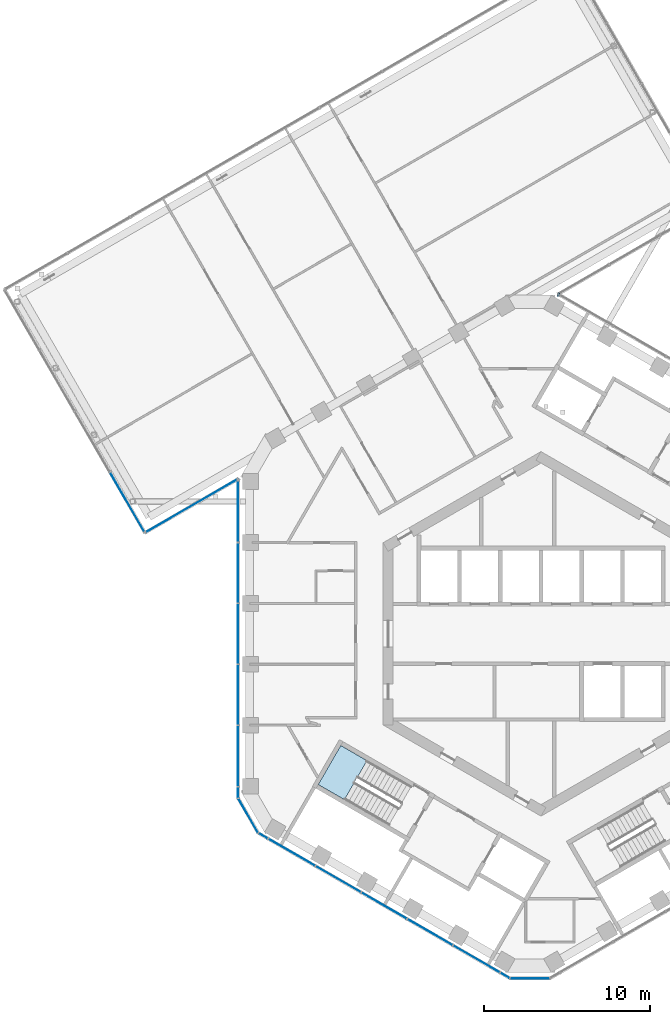
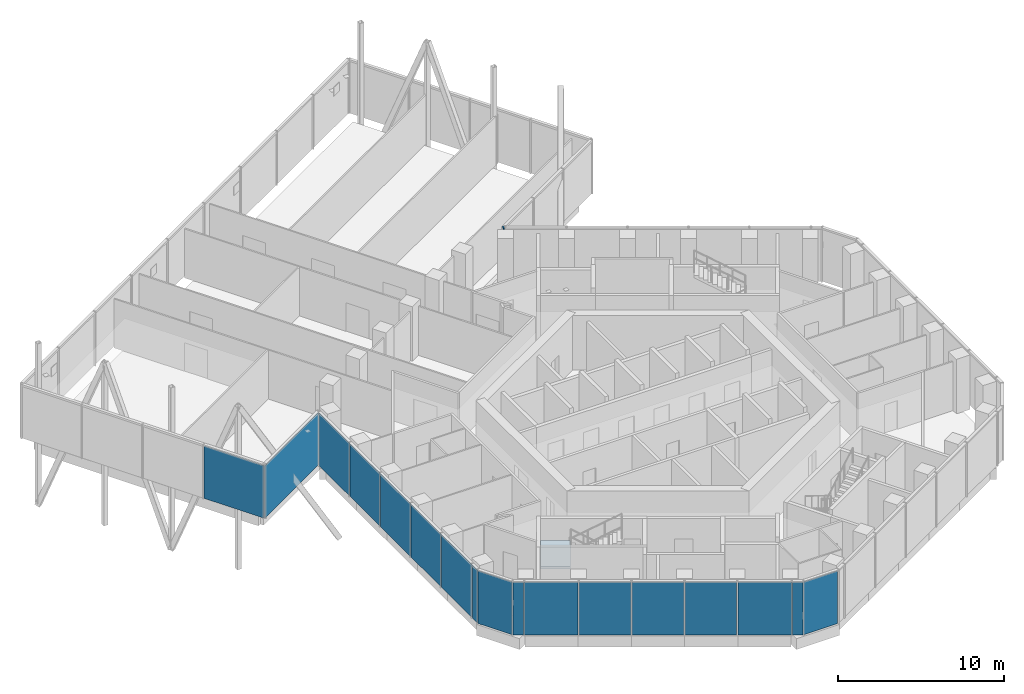
# One storey, part 9 of 21: 17 plates, 1 member, 1 slab, 8 elements without a shape of their own.
"""IFC4 building model written with IfcOpenShell, lengths in metres."""

from ifc_helpers import new_model, si_unit, direction, frame, origin, origin_2d, place, context, subcontext, project, spatial, polyline, rectangle, outline, extrude, material, layer, layer_set, material_profile, profile_set, type_object, element, aggregate, save


model = new_model("IFC4")

# Units and contexts
model_context = context("Model", 3, precision=1e-05, world=origin(), true_north=direction((0.0, 1.0)))
body_context = subcontext(model_context, "Body", "Model", "MODEL_VIEW")
ifc_project = project(units=[si_unit("LENGTHUNIT", "METRE"), si_unit("AREAUNIT", "SQUARE_METRE"), si_unit("VOLUMEUNIT", "CUBIC_METRE"), si_unit("PLANEANGLEUNIT", "RADIAN"), si_unit("MASSUNIT", "GRAM", prefix="KILO")], contexts=[model_context])

# Site, building, storey
site_placement = place(None, origin())
site = spatial("IfcSite", under=ifc_project, at=site_placement, CompositionType="ELEMENT")
building_placement = place(site_placement, origin())
building = spatial("IfcBuilding", under=site, at=building_placement, Name="Ayvan Gate Tower", CompositionType="ELEMENT")
storey_placement = place(building_placement, frame((0.0, 0.0, 190.699951171875)))
storey = spatial("IfcBuildingStorey", under=building, at=storey_placement, Name="L51", CompositionType="ELEMENT", Elevation=190.699951171875)

# Curtain wall, member
ifc_material_1 = material(Name="Bronze anodised aluminium", Category="aluminium")
ifc_layer_1 = layer(ifc_material_1, 0.199951171875)
ifc_layer_set_1 = layer_set([ifc_layer_1], Name="Bronze anodised aluminium")
curtain_wall_type_1 = type_object("IfcCurtainWallType", Name="Stick curtain wall CW-6", PredefinedType="NOTDEFINED", material=ifc_layer_set_1)
curtain_wall_1_placement = place(storey_placement, origin())
curtain_wall_1 = element("IfcCurtainWall", 1, at=curtain_wall_1_placement, inside=storey, type_object=curtain_wall_type_1, Name="Stick curtain wall CW-6 L51", PredefinedType="NOTDEFINED")
ifc_material_profile = material_profile(ifc_material_1, rectangle(XDim=0.199951171875, YDim=0.1201171875, at=origin_2d()), Name="Stick curtain wall CW-6 transom 200 x 120")
ifc_profile_set = profile_set([ifc_material_profile], Name="Bronze anodised aluminium")
member_type = type_object("IfcMemberType", Name="Stick curtain wall CW-6 transom 200 x 120", PredefinedType="USERDEFINED", material=ifc_profile_set)
member_placement = place(storey_placement, frame((1.10693359375, 20.4033203125, 3.93994140625), z_axis=(-0.966112425525, 0.258121640407, 0.0), x_axis=(-0.258121640407, -0.966112425525, 0.0)))
member = element("IfcMember", 2, at=member_placement, type_object=member_type, Name="CW-6 transom 1", ObjectType="TRANSOM", PredefinedType="USERDEFINED", context=body_context, shape_type="SweptSolid", body=[
    extrude(rectangle(XDim=0.199951171875, YDim=0.1201171875, at=origin_2d()), origin(), (0.0, 0.0, 1.0), 0.099365234375),
])
aggregate(curtain_wall_1, [member])

# Stair, slab
ifc_material_2 = material(Name="Concrete C40/50", Category="concrete")
stair_type = type_object("IfcStairType", Name="ST-EXIT", PredefinedType="HALF_TURN_STAIR", material=ifc_material_2)
stair_placement = place(storey_placement, origin())
stair = element("IfcStair", 3, at=stair_placement, inside=storey, type_object=stair_type, Name="L51 Exit Stair S2", PredefinedType="HALF_TURN_STAIR")
ifc_layer_2 = layer(ifc_material_2, 0.199951171875)
ifc_layer_set_2 = layer_set([ifc_layer_2], Name="Concrete C40/50")
slab_type = type_object("IfcSlabType", Name="SL-LANDING-200", PredefinedType="LANDING", material=ifc_layer_set_2)
slab_placement = place(storey_placement, frame((0.0, 0.0, 1.800048828125)))
slab = element("IfcSlab", 4, at=slab_placement, type_object=slab_type, Name="STS2 landing 1", PredefinedType="LANDING", context=body_context, shape_type="SweptSolid", body=[
    extrude(outline(polyline([(-10.473388671875, -7.630615234375), (-12.049560546875, -6.720458984375), (-13.404541015625, -9.0673828125), (-11.828369140625, -9.9775390625), (-10.473388671875, -7.630615234375)])), origin(), (0.0, 0.0, 1.0), 0.199951171875),
])
aggregate(stair, [slab])

# Curtain wall, plates
ifc_layer_3 = layer(ifc_material_1, 0.199951171875)
ifc_layer_set_3 = layer_set([ifc_layer_3], Name="Bronze anodised aluminium")
curtain_wall_type_2 = type_object("IfcCurtainWallType", Name="Stick curtain wall CW-2", PredefinedType="NOTDEFINED", material=ifc_layer_set_3)
curtain_wall_2_placement = place(storey_placement, origin())
curtain_wall_2 = element("IfcCurtainWall", 5, at=curtain_wall_2_placement, inside=storey, type_object=curtain_wall_type_2, Name="Stick curtain wall CW-2 L51", PredefinedType="NOTDEFINED")
ifc_material_3 = material(Name="Clear low-iron laminated glass", Category="glass")
ifc_layer_4 = layer(ifc_material_3, 0.028076171875)
ifc_layer_set_4 = layer_set([ifc_layer_4], Name="Clear low-iron laminated glass")
plate_type_1 = type_object("IfcPlateType", Name="Stick curtain wall CW-2 glass panel", PredefinedType="CURTAIN_PANEL", material=ifc_layer_set_4)
plate_1_placement = place(storey_placement, frame((-18.22314453125, 7.373046875, 0.0), z_axis=(0.0, 0.0, 1.0), x_axis=(0.0, -1.0, 0.0)))
plate_1 = element("IfcPlate", 6, at=plate_1_placement, type_object=plate_type_1, Name="CW-2 glass panel 1", PredefinedType="CURTAIN_PANEL", context=body_context, shape_type="SweptSolid", body=[
    extrude(rectangle(XDim=3.669921875, YDim=0.028076171875, at=origin_2d()), origin(), (0.0, 0.0, 1.0), 3.8798828125),
])
plate_2_placement = place(storey_placement, frame((-18.22314453125, 3.66845703125, 0.0), z_axis=(0.0, 0.0, 1.0), x_axis=(0.0, -1.0, 0.0)))
plate_2 = element("IfcPlate", 7, at=plate_2_placement, type_object=plate_type_1, Name="CW-2 glass panel 2", PredefinedType="CURTAIN_PANEL", context=body_context, shape_type="SweptSolid", body=[
    extrude(rectangle(XDim=3.59912109375, YDim=0.028076171875, at=origin_2d()), origin(), (0.0, 0.0, 1.0), 3.8798828125),
])
plate_3_placement = place(storey_placement, frame((-18.22314453125, 0.0, 0.0), z_axis=(0.0, 0.0, 1.0), x_axis=(0.0, -1.0, 0.0)))
plate_3 = element("IfcPlate", 8, at=plate_3_placement, type_object=plate_type_1, Name="CW-2 glass panel 3", PredefinedType="CURTAIN_PANEL", context=body_context, shape_type="SweptSolid", body=[
    extrude(rectangle(XDim=3.597900390625, YDim=0.028076171875, at=origin_2d()), origin(), (0.0, 0.0, 1.0), 3.8798828125),
])
plate_4_placement = place(storey_placement, frame((-18.22314453125, -3.66845703125, 0.0), z_axis=(0.0, 0.0, 1.0), x_axis=(0.0, -1.0, 0.0)))
plate_4 = element("IfcPlate", 9, at=plate_4_placement, type_object=plate_type_1, Name="CW-2 glass panel 4", PredefinedType="CURTAIN_PANEL", context=body_context, shape_type="SweptSolid", body=[
    extrude(rectangle(XDim=3.59912109375, YDim=0.028076171875, at=origin_2d()), origin(), (0.0, 0.0, 1.0), 3.8798828125),
])
plate_5_placement = place(storey_placement, frame((-18.22314453125, -7.373046875, 0.0), z_axis=(0.0, 0.0, 1.0), x_axis=(0.0, -1.0, 0.0)))
plate_5 = element("IfcPlate", 10, at=plate_5_placement, type_object=plate_type_1, Name="CW-2 glass panel 5", PredefinedType="CURTAIN_PANEL", context=body_context, shape_type="SweptSolid", body=[
    extrude(rectangle(XDim=3.670166015625, YDim=0.028076171875, at=origin_2d()), origin(), (0.0, 0.0, 1.0), 3.8798828125),
])
aggregate(curtain_wall_2, [plate_1, plate_2, plate_3, plate_4, plate_5])

curtain_wall_3_placement = place(storey_placement, origin())
curtain_wall_3 = element("IfcCurtainWall", 11, at=curtain_wall_3_placement, inside=storey, type_object=curtain_wall_type_2, Name="Stick curtain wall CW-2 L51", PredefinedType="NOTDEFINED")
plate_6_placement = place(storey_placement, frame((-15.016845703125, -13.138427734375, 0.0), z_axis=(0.0, 0.0, 1.0), x_axis=(0.866025403784, -0.5, 0.0)))
plate_6 = element("IfcPlate", 12, at=plate_6_placement, type_object=plate_type_1, Name="CW-2 glass panel 1", PredefinedType="CURTAIN_PANEL", context=body_context, shape_type="SweptSolid", body=[
    extrude(rectangle(XDim=3.2470703125, YDim=0.028076171875, at=origin_2d()), origin(), (0.0, 0.0, 1.0), 3.8798828125),
])
plate_7_placement = place(storey_placement, frame((-12.201416015625, -14.763916015625, 0.0), z_axis=(0.0, 0.0, 1.0), x_axis=(0.866025403784, -0.5, 0.0)))
plate_7 = element("IfcPlate", 13, at=plate_7_placement, type_object=plate_type_1, Name="CW-2 glass panel 2", PredefinedType="CURTAIN_PANEL", context=body_context, shape_type="SweptSolid", body=[
    extrude(rectangle(XDim=3.114990234375, YDim=0.028076171875, at=origin_2d()), origin(), (0.0, 0.0, 1.0), 3.8798828125),
])
plate_8_placement = place(storey_placement, frame((-9.443115234375, -16.3564453125, 0.0), z_axis=(0.0, 0.0, 1.0), x_axis=(0.866025403784, -0.5, 0.0)))
plate_8 = element("IfcPlate", 14, at=plate_8_placement, type_object=plate_type_1, Name="CW-2 glass panel 3", PredefinedType="CURTAIN_PANEL", context=body_context, shape_type="SweptSolid", body=[
    extrude(rectangle(XDim=3.114990234375, YDim=0.028076171875, at=origin_2d()), origin(), (0.0, 0.0, 1.0), 3.8798828125),
])
plate_9_placement = place(storey_placement, frame((-6.68505859375, -17.94873046875, 0.0), z_axis=(0.0, 0.0, 1.0), x_axis=(0.866025403784, -0.5, 0.0)))
plate_9 = element("IfcPlate", 15, at=plate_9_placement, type_object=plate_type_1, Name="CW-2 glass panel 4", PredefinedType="CURTAIN_PANEL", context=body_context, shape_type="SweptSolid", body=[
    extrude(rectangle(XDim=3.114013671875, YDim=0.028076171875, at=origin_2d()), origin(), (0.0, 0.0, 1.0), 3.8798828125),
])
plate_10_placement = place(storey_placement, frame((-3.869873046875, -19.573974609375, 0.0), z_axis=(0.0, 0.0, 1.0), x_axis=(0.866025403784, -0.5, 0.0)))
plate_10 = element("IfcPlate", 16, at=plate_10_placement, type_object=plate_type_1, Name="CW-2 glass panel 5", PredefinedType="CURTAIN_PANEL", context=body_context, shape_type="SweptSolid", body=[
    extrude(rectangle(XDim=3.247314453125, YDim=0.028076171875, at=origin_2d()), origin(), (0.0, 0.0, 1.0), 3.8798828125),
])
aggregate(curtain_wall_3, [plate_6, plate_7, plate_8, plate_9, plate_10])

# Curtain wall, plate
ifc_layer_5 = layer(ifc_material_1, 0.199951171875)
ifc_layer_set_5 = layer_set([ifc_layer_5], Name="Bronze anodised aluminium")
curtain_wall_type_3 = type_object("IfcCurtainWallType", Name="Stick curtain wall CW-4", PredefinedType="NOTDEFINED", material=ifc_layer_set_5)
curtain_wall_4_placement = place(storey_placement, origin())
curtain_wall_4 = element("IfcCurtainWall", 17, at=curtain_wall_4_placement, inside=storey, type_object=curtain_wall_type_3, Name="Stick curtain wall CW-4 L51", PredefinedType="NOTDEFINED")
ifc_material_4 = material(Name="Pale anodised aluminium composite panel", Category="aluminium")
ifc_layer_6 = layer(ifc_material_4, 0.028076171875)
ifc_layer_set_6 = layer_set([ifc_layer_6], Name="Pale anodised aluminium composite panel")
plate_type_2 = type_object("IfcPlateType", Name="Stick curtain wall CW-4 solid panel", PredefinedType="CURTAIN_PANEL", material=ifc_layer_set_6)
plate_11_placement = place(storey_placement, frame((-24.8916015625, 7.91357421875, 0.0), z_axis=(0.0, 0.0, 1.0), x_axis=(0.5, -0.866025403784, 0.0)))
plate_11 = element("IfcPlate", 18, at=plate_11_placement, type_object=plate_type_2, Name="CW-4 solid panel 4", PredefinedType="CURTAIN_PANEL", context=body_context, shape_type="SweptSolid", body=[
    extrude(rectangle(XDim=4.14501953125, YDim=0.028076171875, at=origin_2d()), origin(), (0.0, 0.0, 1.0), 3.860107421875),
])
aggregate(curtain_wall_4, [plate_11])

curtain_wall_5_placement = place(storey_placement, origin())
curtain_wall_5 = element("IfcCurtainWall", 19, at=curtain_wall_5_placement, inside=storey, type_object=curtain_wall_type_3, Name="Stick curtain wall CW-4 L51", PredefinedType="NOTDEFINED")
plate_12_placement = place(storey_placement, frame((-21.016357421875, 7.71142578125, 0.0), z_axis=(0.0, 0.0, 1.0), x_axis=(0.866025403784, 0.5, 0.0)))
plate_12 = element("IfcPlate", 20, at=plate_12_placement, type_object=plate_type_2, Name="CW-4 solid panel 1", PredefinedType="CURTAIN_PANEL", context=body_context, shape_type="SweptSolid", body=[
    extrude(rectangle(XDim=6.429931640625, YDim=0.028076171875, at=origin_2d()), origin(), (0.0, 0.0, 1.0), 3.860107421875),
])
aggregate(curtain_wall_5, [plate_12])

# Curtain wall, plates
curtain_wall_6_placement = place(storey_placement, origin())
curtain_wall_6 = element("IfcCurtainWall", 21, at=curtain_wall_6_placement, inside=storey, type_object=curtain_wall_type_1, Name="Stick curtain wall CW-6 L51", PredefinedType="NOTDEFINED")
ifc_layer_7 = layer(ifc_material_3, 0.028076171875)
ifc_layer_set_7 = layer_set([ifc_layer_7], Name="Clear low-iron laminated glass")
plate_type_3 = type_object("IfcPlateType", Name="Stick curtain wall CW-6 glass panel", PredefinedType="CURTAIN_PANEL", material=ifc_layer_set_7)
plate_13_placement = place(storey_placement, frame((-18.22314453125, -9.5556640625, 0.0), z_axis=(0.0, 0.0, 1.0), x_axis=(0.0, -1.0, 0.0)))
plate_13 = element("IfcPlate", 22, at=plate_13_placement, type_object=plate_type_3, Name="CW-6 glass panel 1", PredefinedType="CURTAIN_PANEL", context=body_context, shape_type="SweptSolid", body=[
    extrude(rectangle(XDim=0.625, YDim=0.028076171875, at=origin_2d()), origin(), (0.0, 0.0, 1.0), 3.8798828125),
])
plate_14_placement = place(storey_placement, frame((-17.61962890625, -10.9384765625, 0.0), z_axis=(0.0, 0.0, 1.0), x_axis=(0.5, -0.866025403784, 0.0)))
plate_14 = element("IfcPlate", 23, at=plate_14_placement, type_object=plate_type_3, Name="CW-6 glass panel 2", PredefinedType="CURTAIN_PANEL", context=body_context, shape_type="SweptSolid", body=[
    extrude(rectangle(XDim=2.364501953125, YDim=0.028076171875, at=origin_2d()), origin(), (0.0, 0.0, 1.0), 3.8798828125),
])
plate_15_placement = place(storey_placement, frame((-16.7236328125, -12.15283203125, 0.0), z_axis=(0.0, 0.0, 1.0), x_axis=(0.866025403784, -0.5, 0.0)))
plate_15 = element("IfcPlate", 24, at=plate_15_placement, type_object=plate_type_3, Name="CW-6 glass panel 3", PredefinedType="CURTAIN_PANEL", context=body_context, shape_type="SweptSolid", body=[
    extrude(rectangle(XDim=0.625, YDim=0.028076171875, at=origin_2d()), origin(), (0.0, 0.0, 1.0), 3.8798828125),
])
aggregate(curtain_wall_6, [plate_13, plate_14, plate_15])

curtain_wall_7_placement = place(storey_placement, origin())
curtain_wall_7 = element("IfcCurtainWall", 25, at=curtain_wall_7_placement, inside=storey, type_object=curtain_wall_type_1, Name="Stick curtain wall CW-6 L51", PredefinedType="NOTDEFINED")
plate_16_placement = place(storey_placement, frame((-2.162841796875, -20.5595703125, 0.0), z_axis=(0.0, 0.0, 1.0), x_axis=(0.866025403784, -0.5, 0.0)))
plate_16 = element("IfcPlate", 26, at=plate_16_placement, type_object=plate_type_3, Name="CW-6 glass panel 1", PredefinedType="CURTAIN_PANEL", context=body_context, shape_type="SweptSolid", body=[
    extrude(rectangle(XDim=0.625, YDim=0.028076171875, at=origin_2d()), origin(), (0.0, 0.0, 1.0), 3.8798828125),
])
plate_17_placement = place(storey_placement, frame((-0.663330078125, -20.728271484375, 0.0), z_axis=(0.0, 0.0, 1.0), x_axis=(1.0, 0.0, 0.0)))
plate_17 = element("IfcPlate", 27, at=plate_17_placement, type_object=plate_type_3, Name="CW-6 glass panel 2", PredefinedType="CURTAIN_PANEL", context=body_context, shape_type="SweptSolid", body=[
    extrude(rectangle(XDim=2.364501953125, YDim=0.028076171875, at=origin_2d()), origin(), (0.0, 0.0, 1.0), 3.8798828125),
])
aggregate(curtain_wall_7, [plate_16, plate_17])

save(model, "model.ifc")
